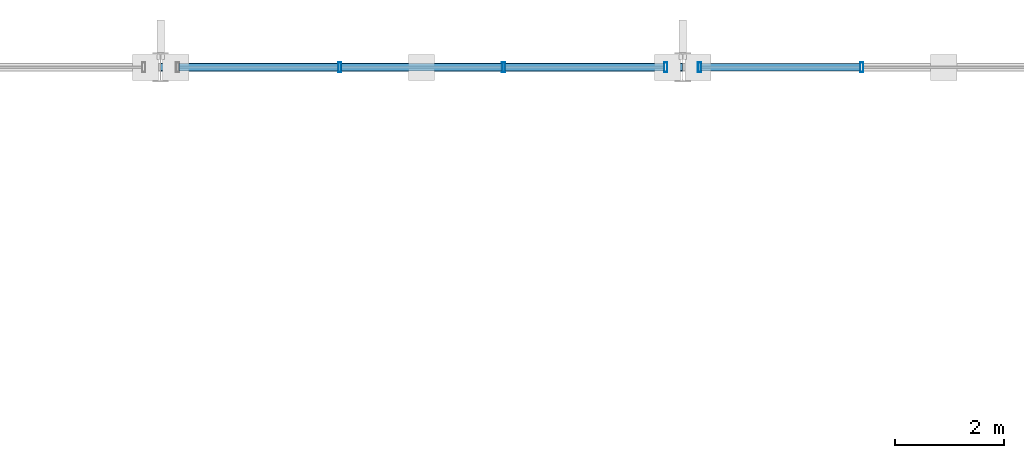
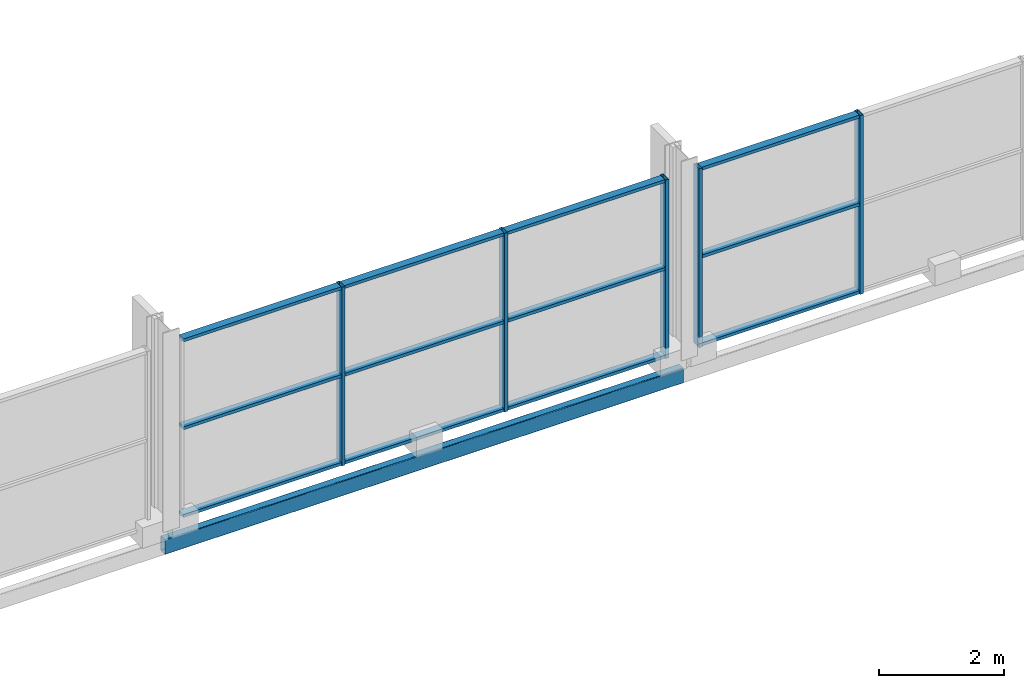
# One storey, part 57 of 117: 17 members, 1 beam, 2 elements without a shape of their own.
"""IFC4 building model written with IfcOpenShell, lengths in metres."""

from ifc_helpers import new_model, si_unit, direction, frame, origin, origin_2d, place, context, subcontext, project, spatial, hollow_rectangle, extrude, material, material_profile, profile_set, type_object, element, aggregate, save


model = new_model("IFC4")

# Units and contexts
model_context = context("Model", 3, precision=1e-05, world=origin(), true_north=direction((0.0, 1.0)))
body_context = subcontext(model_context, "Body", "Model", "MODEL_VIEW")
ifc_project = project(units=[si_unit("LENGTHUNIT", "METRE"), si_unit("AREAUNIT", "SQUARE_METRE"), si_unit("VOLUMEUNIT", "CUBIC_METRE"), si_unit("PLANEANGLEUNIT", "RADIAN"), si_unit("MASSUNIT", "GRAM", prefix="KILO")], contexts=[model_context])

# Site, building, storey
site_placement = place(None, origin())
site = spatial("IfcSite", under=ifc_project, at=site_placement, CompositionType="ELEMENT")
building_placement = place(site_placement, origin())
building = spatial("IfcBuilding", under=site, at=building_placement, Name="Merenkruunu Market Hall", CompositionType="ELEMENT")
storey_placement = place(building_placement, frame((0.0, 0.0, 10.199951171875)))
storey = spatial("IfcBuildingStorey", under=building, at=storey_placement, Name="L02", CompositionType="ELEMENT", Elevation=10.199951171875)

# Curtain wall, members
ifc_material_1 = material(Name="Powder-coated aluminium", Category="aluminium")
curtain_wall_type = type_object("IfcCurtainWallType", Name="Glazed Curtain Wall CW10", PredefinedType="USERDEFINED", material=ifc_material_1)
curtain_wall_1_placement = place(storey_placement, origin())
curtain_wall_1 = element("IfcCurtainWall", 1, at=curtain_wall_1_placement, inside=storey, type_object=curtain_wall_type, Name="CW-L02-CWM02-055", ObjectType="GLAZED_FACADE", PredefinedType="USERDEFINED")
ifc_material_profile_1 = material_profile(ifc_material_1, hollow_rectangle(XDim=0.06005859375, YDim=0.179931640625, WallThickness=0.00390625, at=origin_2d()), Name="ALU 60x180x4")
ifc_profile_set_1 = profile_set([ifc_material_profile_1], Name="Powder-coated aluminium")
member_type_1 = type_object("IfcMemberType", Name="Curtain Wall Mullion CWM02", PredefinedType="MULLION", material=ifc_profile_set_1)
member_1_placement = place(storey_placement, frame((12.893310546875, 111.60009765625, 0.0), z_axis=(0.0, 0.0, 1.0), x_axis=(1.0, 0.0, 0.0)))
member_1 = element("IfcMember", 2, at=member_1_placement, type_object=member_type_1, Name="CW10 mullion 2", PredefinedType="MULLION", context=body_context, shape_type="SweptSolid", body=[
    extrude(hollow_rectangle(XDim=0.06005859375, YDim=0.179931640625, WallThickness=0.00390625, at=origin_2d()), origin(), (0.0, 0.0, 1.0), 3.5),
])
member_2_placement = place(storey_placement, frame((15.90673828125, 111.60009765625, 0.0), z_axis=(0.0, 0.0, 1.0), x_axis=(1.0, 0.0, 0.0)))
member_2 = element("IfcMember", 3, at=member_2_placement, type_object=member_type_1, Name="CW10 mullion 3", PredefinedType="MULLION", context=body_context, shape_type="SweptSolid", body=[
    extrude(hollow_rectangle(XDim=0.06005859375, YDim=0.179931640625, WallThickness=0.00390625, at=origin_2d()), origin(), (0.0, 0.0, 1.0), 3.5),
])
member_3_placement = place(storey_placement, frame((18.889892578125, 111.60009765625, 0.0), z_axis=(0.0, 0.0, 1.0), x_axis=(1.0, 0.0, 0.0)))
member_3 = element("IfcMember", 4, at=member_3_placement, type_object=member_type_1, Name="CW10 mullion 4", PredefinedType="MULLION", context=body_context, shape_type="SweptSolid", body=[
    extrude(hollow_rectangle(XDim=0.06005859375, YDim=0.179931640625, WallThickness=0.00390625, at=origin_2d()), origin(), (0.0, 0.0, 1.0), 3.5),
])

curtain_wall_2_placement = place(storey_placement, origin())
curtain_wall_2 = element("IfcCurtainWall", 5, at=curtain_wall_2_placement, inside=storey, type_object=curtain_wall_type, Name="CW-L02-CWM02-058", ObjectType="GLAZED_FACADE", PredefinedType="USERDEFINED")
member_4_placement = place(storey_placement, frame((19.510009765625, 111.60009765625, 0.0), z_axis=(0.0, 0.0, 1.0), x_axis=(1.0, 0.0, 0.0)))
member_4 = element("IfcMember", 6, at=member_4_placement, type_object=member_type_1, Name="CW10 mullion 1", PredefinedType="MULLION", context=body_context, shape_type="SweptSolid", body=[
    extrude(hollow_rectangle(XDim=0.06005859375, YDim=0.179931640625, WallThickness=0.00390625, at=origin_2d()), origin(), (0.0, 0.0, 1.0), 3.5),
])
member_5_placement = place(storey_placement, frame((22.493408203125, 111.60009765625, 0.0), z_axis=(0.0, 0.0, 1.0), x_axis=(1.0, 0.0, 0.0)))
member_5 = element("IfcMember", 7, at=member_5_placement, type_object=member_type_1, Name="CW10 mullion 2", PredefinedType="MULLION", context=body_context, shape_type="SweptSolid", body=[
    extrude(hollow_rectangle(XDim=0.06005859375, YDim=0.179931640625, WallThickness=0.00390625, at=origin_2d()), origin(), (0.0, 0.0, 1.0), 3.5),
])

# Member
ifc_material_profile_2 = material_profile(ifc_material_1, hollow_rectangle(XDim=0.06005859375, YDim=0.139892578125, WallThickness=0.00390625, at=origin_2d()), Name="ALU 60x140x4")
ifc_profile_set_2 = profile_set([ifc_material_profile_2], Name="Powder-coated aluminium")
member_type_2 = type_object("IfcMemberType", Name="Curtain Wall Transom CWT02", PredefinedType="USERDEFINED", material=ifc_profile_set_2)
member_6_placement = place(storey_placement, frame((9.93994140625, 111.60009765625, 0.030029296875), z_axis=(1.0, 0.0, 0.0), x_axis=(0.0, 0.0, 1.0)))
member_6 = element("IfcMember", 8, at=member_6_placement, type_object=member_type_2, Name="CW10 transom 1.1", ObjectType="TRANSOM", PredefinedType="USERDEFINED", context=body_context, shape_type="SweptSolid", body=[
    extrude(hollow_rectangle(XDim=0.06005859375, YDim=0.139892578125, WallThickness=0.00390625, at=origin_2d()), origin(), (0.0, 0.0, 1.0), 2.92333984375),
])

member_7_placement = place(storey_placement, frame((9.93994140625, 111.60009765625, 1.75), z_axis=(1.0, 0.0, 0.0), x_axis=(0.0, 0.0, 1.0)))
member_7 = element("IfcMember", 9, at=member_7_placement, type_object=member_type_2, Name="CW10 transom 1.2", ObjectType="TRANSOM", PredefinedType="USERDEFINED", context=body_context, shape_type="SweptSolid", body=[
    extrude(hollow_rectangle(XDim=0.06005859375, YDim=0.139892578125, WallThickness=0.00390625, at=origin_2d()), origin(), (0.0, 0.0, 1.0), 2.92333984375),
])

member_8_placement = place(storey_placement, frame((9.93994140625, 111.60009765625, 3.469970703125), z_axis=(1.0, 0.0, 0.0), x_axis=(0.0, 0.0, 1.0)))
member_8 = element("IfcMember", 10, at=member_8_placement, type_object=member_type_2, Name="CW10 transom 1.3", ObjectType="TRANSOM", PredefinedType="USERDEFINED", context=body_context, shape_type="SweptSolid", body=[
    extrude(hollow_rectangle(XDim=0.06005859375, YDim=0.139892578125, WallThickness=0.00390625, at=origin_2d()), origin(), (0.0, 0.0, 1.0), 2.92333984375),
])

member_9_placement = place(storey_placement, frame((12.92333984375, 111.60009765625, 0.030029296875), z_axis=(1.0, 0.0, 0.0), x_axis=(0.0, 0.0, 1.0)))
member_9 = element("IfcMember", 11, at=member_9_placement, type_object=member_type_2, Name="CW10 transom 2.1", ObjectType="TRANSOM", PredefinedType="USERDEFINED", context=body_context, shape_type="SweptSolid", body=[
    extrude(hollow_rectangle(XDim=0.06005859375, YDim=0.139892578125, WallThickness=0.00390625, at=origin_2d()), origin(), (0.0, 0.0, 1.0), 2.953369140625),
])

member_10_placement = place(storey_placement, frame((12.92333984375, 111.60009765625, 1.75), z_axis=(1.0, 0.0, 0.0), x_axis=(0.0, 0.0, 1.0)))
member_10 = element("IfcMember", 12, at=member_10_placement, type_object=member_type_2, Name="CW10 transom 2.2", ObjectType="TRANSOM", PredefinedType="USERDEFINED", context=body_context, shape_type="SweptSolid", body=[
    extrude(hollow_rectangle(XDim=0.06005859375, YDim=0.139892578125, WallThickness=0.00390625, at=origin_2d()), origin(), (0.0, 0.0, 1.0), 2.953369140625),
])

member_11_placement = place(storey_placement, frame((12.92333984375, 111.60009765625, 3.469970703125), z_axis=(1.0, 0.0, 0.0), x_axis=(0.0, 0.0, 1.0)))
member_11 = element("IfcMember", 13, at=member_11_placement, type_object=member_type_2, Name="CW10 transom 2.3", ObjectType="TRANSOM", PredefinedType="USERDEFINED", context=body_context, shape_type="SweptSolid", body=[
    extrude(hollow_rectangle(XDim=0.06005859375, YDim=0.139892578125, WallThickness=0.00390625, at=origin_2d()), origin(), (0.0, 0.0, 1.0), 2.953369140625),
])

member_12_placement = place(storey_placement, frame((15.936767578125, 111.60009765625, 0.030029296875), z_axis=(1.0, 0.0, 0.0), x_axis=(0.0, 0.0, 1.0)))
member_12 = element("IfcMember", 14, at=member_12_placement, type_object=member_type_2, Name="CW10 transom 3.1", ObjectType="TRANSOM", PredefinedType="USERDEFINED", context=body_context, shape_type="SweptSolid", body=[
    extrude(hollow_rectangle(XDim=0.06005859375, YDim=0.139892578125, WallThickness=0.00390625, at=origin_2d()), origin(), (0.0, 0.0, 1.0), 2.92333984375),
])

member_13_placement = place(storey_placement, frame((15.936767578125, 111.60009765625, 1.75), z_axis=(1.0, 0.0, 0.0), x_axis=(0.0, 0.0, 1.0)))
member_13 = element("IfcMember", 15, at=member_13_placement, type_object=member_type_2, Name="CW10 transom 3.2", ObjectType="TRANSOM", PredefinedType="USERDEFINED", context=body_context, shape_type="SweptSolid", body=[
    extrude(hollow_rectangle(XDim=0.06005859375, YDim=0.139892578125, WallThickness=0.00390625, at=origin_2d()), origin(), (0.0, 0.0, 1.0), 2.92333984375),
])

member_14_placement = place(storey_placement, frame((15.936767578125, 111.60009765625, 3.469970703125), z_axis=(1.0, 0.0, 0.0), x_axis=(0.0, 0.0, 1.0)))
member_14 = element("IfcMember", 16, at=member_14_placement, type_object=member_type_2, Name="CW10 transom 3.3", ObjectType="TRANSOM", PredefinedType="USERDEFINED", context=body_context, shape_type="SweptSolid", body=[
    extrude(hollow_rectangle(XDim=0.06005859375, YDim=0.139892578125, WallThickness=0.00390625, at=origin_2d()), origin(), (0.0, 0.0, 1.0), 2.92333984375),
])

aggregate(curtain_wall_1, [member_1, member_2, member_3, member_6, member_7, member_8, member_9, member_10, member_11, member_12, member_13, member_14])

member_15_placement = place(storey_placement, frame((19.5400390625, 111.60009765625, 0.030029296875), z_axis=(1.0, 0.0, 0.0), x_axis=(0.0, 0.0, 1.0)))
member_15 = element("IfcMember", 17, at=member_15_placement, type_object=member_type_2, Name="CW10 transom 1.1", ObjectType="TRANSOM", PredefinedType="USERDEFINED", context=body_context, shape_type="SweptSolid", body=[
    extrude(hollow_rectangle(XDim=0.06005859375, YDim=0.139892578125, WallThickness=0.00390625, at=origin_2d()), origin(), (0.0, 0.0, 1.0), 2.92333984375),
])

member_16_placement = place(storey_placement, frame((19.5400390625, 111.60009765625, 1.75), z_axis=(1.0, 0.0, 0.0), x_axis=(0.0, 0.0, 1.0)))
member_16 = element("IfcMember", 18, at=member_16_placement, type_object=member_type_2, Name="CW10 transom 1.2", ObjectType="TRANSOM", PredefinedType="USERDEFINED", context=body_context, shape_type="SweptSolid", body=[
    extrude(hollow_rectangle(XDim=0.06005859375, YDim=0.139892578125, WallThickness=0.00390625, at=origin_2d()), origin(), (0.0, 0.0, 1.0), 2.92333984375),
])

member_17_placement = place(storey_placement, frame((19.5400390625, 111.60009765625, 3.469970703125), z_axis=(1.0, 0.0, 0.0), x_axis=(0.0, 0.0, 1.0)))
member_17 = element("IfcMember", 19, at=member_17_placement, type_object=member_type_2, Name="CW10 transom 1.3", ObjectType="TRANSOM", PredefinedType="USERDEFINED", context=body_context, shape_type="SweptSolid", body=[
    extrude(hollow_rectangle(XDim=0.06005859375, YDim=0.139892578125, WallThickness=0.00390625, at=origin_2d()), origin(), (0.0, 0.0, 1.0), 2.92333984375),
])

aggregate(curtain_wall_2, [member_4, member_5, member_15, member_16, member_17])

# Beam
ifc_material_2 = material(Name="Steel S355J2", Category="steel")
ifc_material_profile_3 = material_profile(ifc_material_2, hollow_rectangle(XDim=0.14990234375, YDim=0.300048828125, WallThickness=0.012451171875, InnerFilletRadius=0.012451171875, OuterFilletRadius=0.02490234375, at=origin_2d()), Name="RHS 300x150x12.5")
ifc_profile_set_3 = profile_set([ifc_material_profile_3], Name="Steel S355J2")
beam_type = type_object("IfcBeamType", Name="Perimeter Spandrel Beam SP03", PredefinedType="SPANDREL", material=ifc_profile_set_3)
beam_placement = place(storey_placement, frame((9.60009765625, 111.60009765625, -0.4599609375), z_axis=(1.0, 0.0, 0.0), x_axis=(0.0, 1.0, 0.0)))
element("IfcBeam", 20, at=beam_placement, inside=storey, type_object=beam_type, Name="BM-L02-SP03-1242", PredefinedType="SPANDREL", context=body_context, shape_type="SweptSolid", body=[
    extrude(hollow_rectangle(XDim=0.14990234375, YDim=0.300048828125, WallThickness=0.012451171875, InnerFilletRadius=0.012451171875, OuterFilletRadius=0.02490234375, at=origin_2d()), origin(), (0.0, 0.0, 1.0), 9.599853515625),
])

save(model, "model.ifc")
